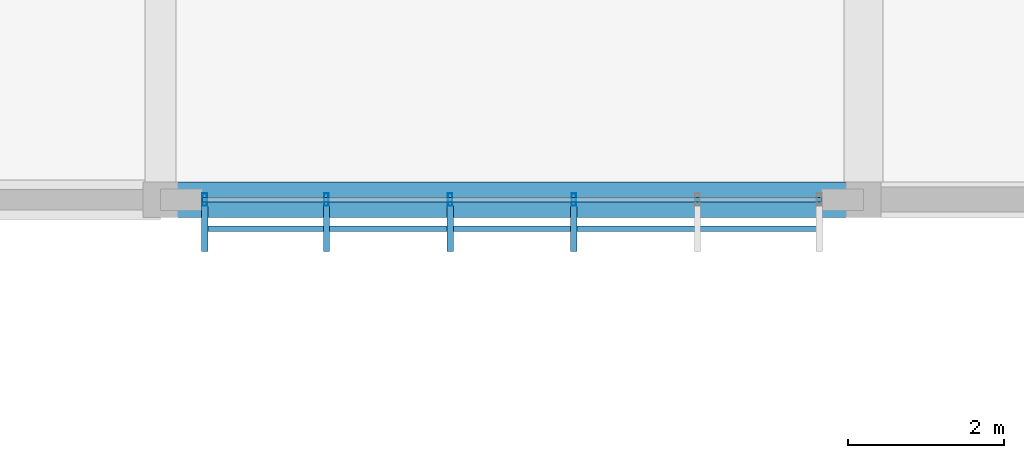
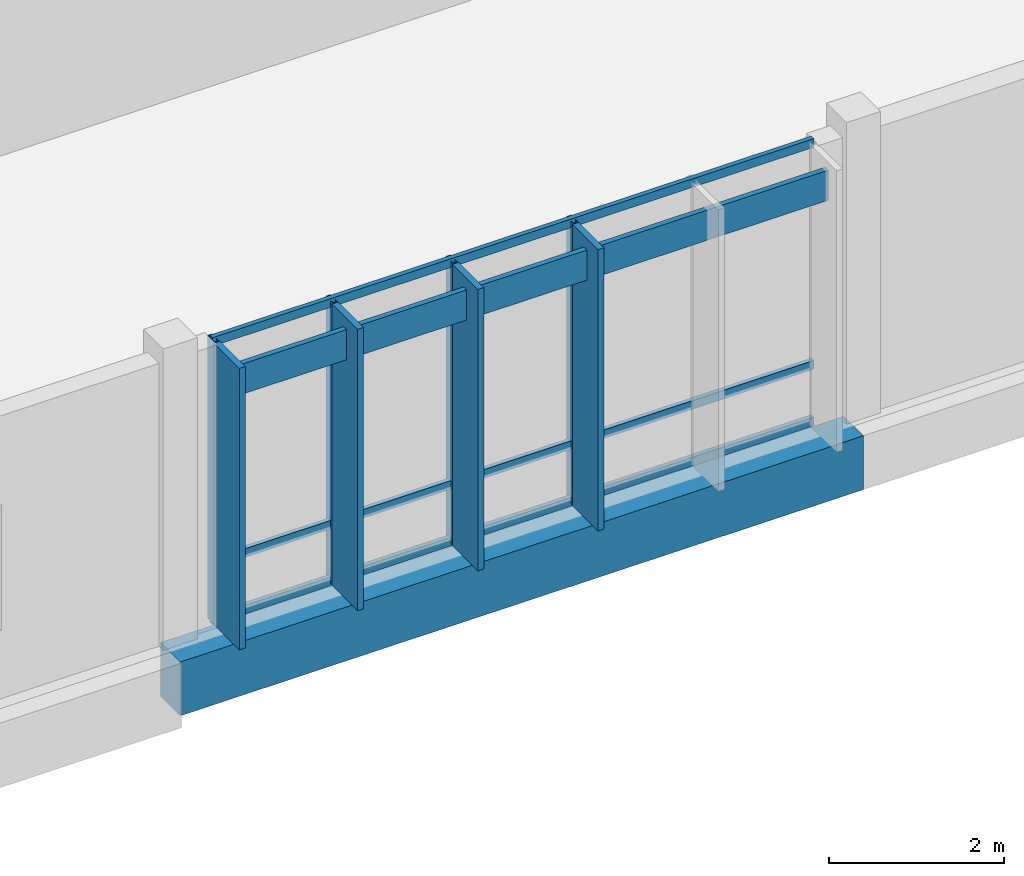
# One storey, part 43 of 94: 12 members, 1 beam, 1 element without a shape of its own.
"""IFC4 building model written with IfcOpenShell, lengths in metres."""

from ifc_helpers import new_model, si_unit, direction, frame, origin, origin_2d, place, context, subcontext, project, spatial, rectangle, hollow_rectangle, extrude, material, material_profile, profile_set, type_object, element, aggregate, save


model = new_model("IFC4")

# Units and contexts
model_context = context("Model", 3, precision=1e-05, world=origin(), true_north=direction((0.0, 1.0)))
body_context = subcontext(model_context, "Body", "Model", "MODEL_VIEW")
ifc_project = project(units=[si_unit("LENGTHUNIT", "METRE"), si_unit("AREAUNIT", "SQUARE_METRE"), si_unit("VOLUMEUNIT", "CUBIC_METRE"), si_unit("PLANEANGLEUNIT", "RADIAN"), si_unit("MASSUNIT", "GRAM", prefix="KILO")], contexts=[model_context])

# Site, building, storey
site_placement = place(None, origin())
site = spatial("IfcSite", under=ifc_project, at=site_placement, CompositionType="ELEMENT")
building_placement = place(site_placement, origin())
building = spatial("IfcBuilding", under=site, at=building_placement, Name="Chiffa Square Polytechnic", CompositionType="ELEMENT")
storey_placement = place(building_placement, frame((0.0, 0.0, 18.0)))
storey = spatial("IfcBuildingStorey", under=building, at=storey_placement, Name="L04", CompositionType="ELEMENT", Elevation=18.0)

# Beam
ifc_material_1 = material(Name="Concrete C35/45", Category="concrete")
ifc_material_profile_1 = material_profile(ifc_material_1, rectangle(XDim=0.449951171875, YDim=0.75, at=origin_2d()), Name="RC 450x750")
ifc_profile_set_1 = profile_set([ifc_material_profile_1], Name="Concrete C35/45")
beam_type = type_object("IfcBeamType", Name="BM-RC-450X750", PredefinedType="BEAM", material=ifc_profile_set_1)
beam_placement = place(storey_placement, frame((57.60009765625, 103.800048828125, -0.614990234375), z_axis=(1.0, 0.0, 0.0), x_axis=(0.0, 1.0, 0.0)))
element("IfcBeam", 1, at=beam_placement, inside=storey, type_object=beam_type, Name="Primary floor girder BM-V5-L04-X-0576-1038", PredefinedType="BEAM", context=body_context, shape_type="SweptSolid", body=[
    extrude(rectangle(XDim=0.449951171875, YDim=0.75, at=origin_2d()), origin(), (0.0, 0.0, 1.0), 9.0),
])

# Curtain wall, members
ifc_material_2 = material(Name="Aluminium EN AW-6060 T66 and glulam shading", Category="wood")
curtain_wall_type = type_object("IfcCurtainWallType", Name="CW-VERT-600X440", PredefinedType="USERDEFINED", material=ifc_material_2)
curtain_wall_placement = place(storey_placement, origin())
curtain_wall = element("IfcCurtainWall", 2, at=curtain_wall_placement, inside=storey, type_object=curtain_wall_type, Name="Curtain wall CW-V5-L04-241", ObjectType="CURTAIN WALL", PredefinedType="USERDEFINED")
ifc_material_3 = material(Name="Aluminium EN AW-6060 T66", Category="aluminium")
ifc_material_profile_2 = material_profile(ifc_material_3, hollow_rectangle(XDim=0.06005859375, YDim=0.159912109375, WallThickness=0.00390625, at=origin_2d()), Name="ALU 60x160x4")
ifc_profile_set_2 = profile_set([ifc_material_profile_2], Name="Aluminium EN AW-6060 T66")
member_type_1 = type_object("IfcMemberType", Name="CWM-ALU-65X150", PredefinedType="MULLION", material=ifc_profile_set_2)
member_1_placement = place(storey_placement, frame((58.1650390625, 103.800048828125, 0.0), z_axis=(0.0, 0.0, 1.0), x_axis=(1.0, 0.0, 0.0)))
member_1 = element("IfcMember", 3, at=member_1_placement, type_object=member_type_1, Name="Curtain wall mullion CW-V5-L04-241-M00", PredefinedType="MULLION", context=body_context, shape_type="SweptSolid", body=[
    extrude(hollow_rectangle(XDim=0.06005859375, YDim=0.159912109375, WallThickness=0.00390625, at=origin_2d()), origin(), (0.0, 0.0, 1.0), 3.93994140625),
])
member_2_placement = place(storey_placement, frame((59.72412109375, 103.800048828125, 0.0), z_axis=(0.0, 0.0, 1.0), x_axis=(1.0, 0.0, 0.0)))
member_2 = element("IfcMember", 4, at=member_2_placement, type_object=member_type_1, Name="Curtain wall mullion CW-V5-L04-241-M01", PredefinedType="MULLION", context=body_context, shape_type="SweptSolid", body=[
    extrude(hollow_rectangle(XDim=0.06005859375, YDim=0.159912109375, WallThickness=0.00390625, at=origin_2d()), origin(), (0.0, 0.0, 1.0), 3.93994140625),
])
member_3_placement = place(storey_placement, frame((61.30810546875, 103.800048828125, 0.0), z_axis=(0.0, 0.0, 1.0), x_axis=(1.0, 0.0, 0.0)))
member_3 = element("IfcMember", 5, at=member_3_placement, type_object=member_type_1, Name="Curtain wall mullion CW-V5-L04-241-M02", PredefinedType="MULLION", context=body_context, shape_type="SweptSolid", body=[
    extrude(hollow_rectangle(XDim=0.06005859375, YDim=0.159912109375, WallThickness=0.00390625, at=origin_2d()), origin(), (0.0, 0.0, 1.0), 3.93994140625),
])
member_4_placement = place(storey_placement, frame((62.89208984375, 103.800048828125, 0.0), z_axis=(0.0, 0.0, 1.0), x_axis=(1.0, 0.0, 0.0)))
member_4 = element("IfcMember", 6, at=member_4_placement, type_object=member_type_1, Name="Curtain wall mullion CW-V5-L04-241-M03", PredefinedType="MULLION", context=body_context, shape_type="SweptSolid", body=[
    extrude(hollow_rectangle(XDim=0.06005859375, YDim=0.159912109375, WallThickness=0.00390625, at=origin_2d()), origin(), (0.0, 0.0, 1.0), 3.93994140625),
])
ifc_material_4 = material(Name="Glulam GL28h", Category="wood")
ifc_material_profile_3 = material_profile(ifc_material_4, rectangle(XDim=0.080078125, YDim=0.580078125, at=origin_2d()), Name="GL28h 80x580")
ifc_profile_set_3 = profile_set([ifc_material_profile_3], Name="Glulam GL28h")
member_type_2 = type_object("IfcMemberType", Name="CWM-GL-80X580", PredefinedType="MULLION", material=ifc_profile_set_3)
member_5_placement = place(storey_placement, frame((58.1650390625, 103.427978515625, 0.010009765625), z_axis=(0.0, 0.0, 1.0), x_axis=(1.0, 0.0, 0.0)))
member_5 = element("IfcMember", 7, at=member_5_placement, type_object=member_type_2, Name="Exterior glulam solar fin CW-V5-L04-241-FN00", PredefinedType="MULLION", context=body_context, shape_type="SweptSolid", body=[
    extrude(rectangle(XDim=0.080078125, YDim=0.580078125, at=origin_2d()), origin(), (0.0, 0.0, 1.0), 3.919921875),
])
member_6_placement = place(storey_placement, frame((59.72412109375, 103.427978515625, 0.010009765625), z_axis=(0.0, 0.0, 1.0), x_axis=(1.0, 0.0, 0.0)))
member_6 = element("IfcMember", 8, at=member_6_placement, type_object=member_type_2, Name="Exterior glulam solar fin CW-V5-L04-241-FN01", PredefinedType="MULLION", context=body_context, shape_type="SweptSolid", body=[
    extrude(rectangle(XDim=0.080078125, YDim=0.580078125, at=origin_2d()), origin(), (0.0, 0.0, 1.0), 3.919921875),
])
member_7_placement = place(storey_placement, frame((61.30810546875, 103.427978515625, 0.010009765625), z_axis=(0.0, 0.0, 1.0), x_axis=(1.0, 0.0, 0.0)))
member_7 = element("IfcMember", 9, at=member_7_placement, type_object=member_type_2, Name="Exterior glulam solar fin CW-V5-L04-241-FN02", PredefinedType="MULLION", context=body_context, shape_type="SweptSolid", body=[
    extrude(rectangle(XDim=0.080078125, YDim=0.580078125, at=origin_2d()), origin(), (0.0, 0.0, 1.0), 3.919921875),
])
member_8_placement = place(storey_placement, frame((62.89208984375, 103.427978515625, 0.010009765625), z_axis=(0.0, 0.0, 1.0), x_axis=(1.0, 0.0, 0.0)))
member_8 = element("IfcMember", 10, at=member_8_placement, type_object=member_type_2, Name="Exterior glulam solar fin CW-V5-L04-241-FN03", PredefinedType="MULLION", context=body_context, shape_type="SweptSolid", body=[
    extrude(rectangle(XDim=0.080078125, YDim=0.580078125, at=origin_2d()), origin(), (0.0, 0.0, 1.0), 3.919921875),
])
ifc_material_profile_4 = material_profile(ifc_material_3, hollow_rectangle(XDim=0.06005859375, YDim=0.1201171875, WallThickness=0.00390625, at=origin_2d()), Name="ALU 60x120x4")
ifc_profile_set_4 = profile_set([ifc_material_profile_4], Name="Aluminium EN AW-6060 T66")
member_type_3 = type_object("IfcMemberType", Name="CWT-ALU-65X120", PredefinedType="USERDEFINED", material=ifc_profile_set_4)
member_9_placement = place(storey_placement, frame((58.137939453125, 103.800048828125, 0.030029296875), z_axis=(1.0, 0.0, 0.0), x_axis=(0.0, 1.0, 0.0)))
member_9 = element("IfcMember", 11, at=member_9_placement, type_object=member_type_3, Name="Curtain wall transom CW-V5-L04-241-T01", ObjectType="TRANSOM", PredefinedType="USERDEFINED", context=body_context, shape_type="SweptSolid", body=[
    extrude(hollow_rectangle(XDim=0.06005859375, YDim=0.1201171875, WallThickness=0.00390625, at=origin_2d()), origin(), (0.0, 0.0, 1.0), 7.924072265625),
])
member_10_placement = place(storey_placement, frame((58.137939453125, 103.800048828125, 0.820068359375), z_axis=(1.0, 0.0, 0.0), x_axis=(0.0, 1.0, 0.0)))
member_10 = element("IfcMember", 12, at=member_10_placement, type_object=member_type_3, Name="Curtain wall transom CW-V5-L04-241-T02", ObjectType="TRANSOM", PredefinedType="USERDEFINED", context=body_context, shape_type="SweptSolid", body=[
    extrude(hollow_rectangle(XDim=0.06005859375, YDim=0.1201171875, WallThickness=0.00390625, at=origin_2d()), origin(), (0.0, 0.0, 1.0), 7.924072265625),
])
member_11_placement = place(storey_placement, frame((58.137939453125, 103.800048828125, 3.909912109375), z_axis=(1.0, 0.0, 0.0), x_axis=(0.0, 1.0, 0.0)))
member_11 = element("IfcMember", 13, at=member_11_placement, type_object=member_type_3, Name="Curtain wall transom CW-V5-L04-241-T03", ObjectType="TRANSOM", PredefinedType="USERDEFINED", context=body_context, shape_type="SweptSolid", body=[
    extrude(hollow_rectangle(XDim=0.06005859375, YDim=0.1201171875, WallThickness=0.00390625, at=origin_2d()), origin(), (0.0, 0.0, 1.0), 7.924072265625),
])
ifc_material_profile_5 = material_profile(ifc_material_4, rectangle(XDim=0.070068359375, YDim=0.419921875, at=origin_2d()), Name="GL28h 70x420")
ifc_profile_set_5 = profile_set([ifc_material_profile_5], Name="Glulam GL28h")
member_type_4 = type_object("IfcMemberType", Name="CWT-GL-70X420", PredefinedType="USERDEFINED", material=ifc_profile_set_5)
member_12_placement = place(storey_placement, frame((58.1650390625, 103.427978515625, 3.56005859375), z_axis=(1.0, 0.0, 0.0), x_axis=(0.0, 1.0, 0.0)))
member_12 = element("IfcMember", 14, at=member_12_placement, type_object=member_type_4, Name="Exterior glulam brise-soleil CW-V5-L04-241-BS01", ObjectType="TRANSOM", PredefinedType="USERDEFINED", context=body_context, shape_type="SweptSolid", body=[
    extrude(rectangle(XDim=0.070068359375, YDim=0.419921875, at=origin_2d()), origin(), (0.0, 0.0, 1.0), 7.869873046875),
])
aggregate(curtain_wall, [member_1, member_5, member_2, member_6, member_3, member_7, member_4, member_8, member_9, member_10, member_11, member_12])

save(model, "model.ifc")
